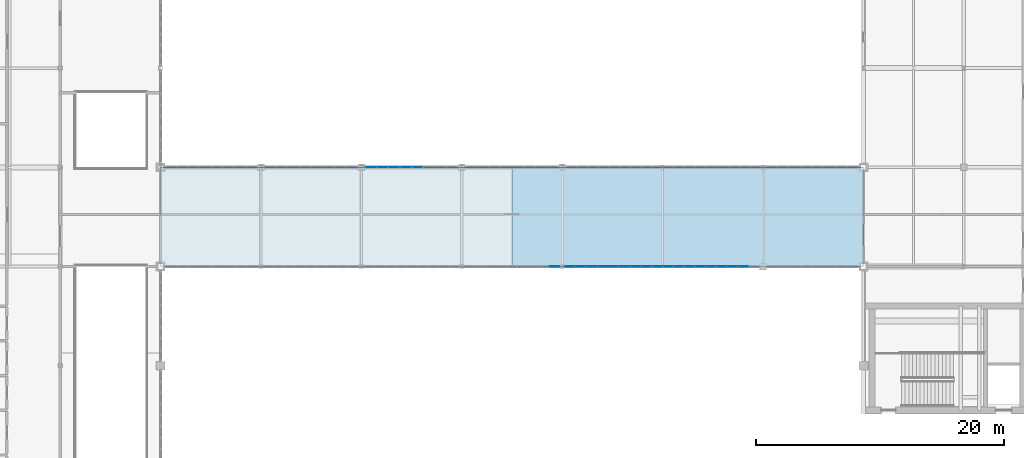
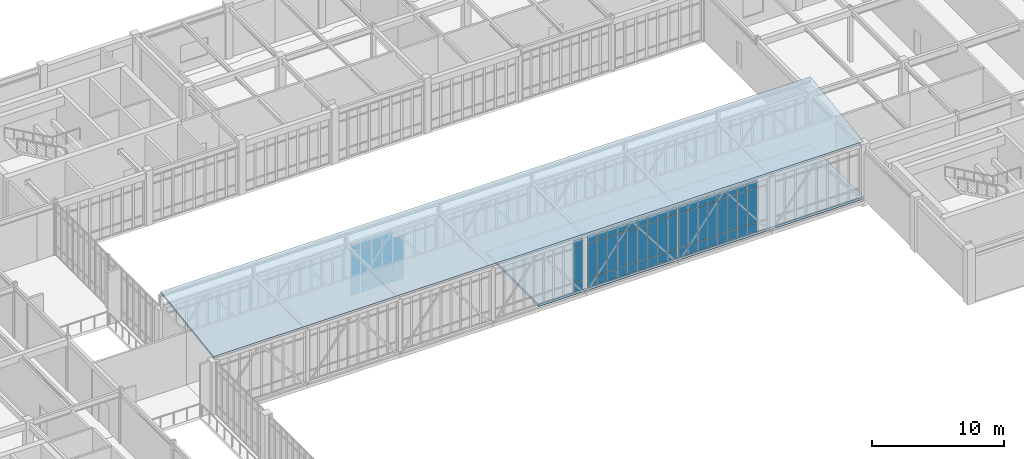
# One storey, part 76 of 107: 68 plates, 2 slabs, 4 elements without a shape of their own.
"""IFC4 building model written with IfcOpenShell, lengths in metres."""

from ifc_helpers import new_model, si_unit, direction, frame, origin, origin_2d, place, context, subcontext, project, spatial, polyline, rectangle, outline, extrude, material, layer, layer_set, type_object, element, aggregate, save


model = new_model("IFC4")

# Units and contexts
model_context = context("Model", 3, precision=1e-05, world=origin(), true_north=direction((0.0, 1.0)))
body_context = subcontext(model_context, "Body", "Model", "MODEL_VIEW")
ifc_project = project(units=[si_unit("LENGTHUNIT", "METRE"), si_unit("AREAUNIT", "SQUARE_METRE"), si_unit("VOLUMEUNIT", "CUBIC_METRE"), si_unit("PLANEANGLEUNIT", "RADIAN"), si_unit("MASSUNIT", "GRAM", prefix="KILO")], contexts=[model_context])

# Site, building, storey
site_placement = place(None, origin())
site = spatial("IfcSite", under=ifc_project, at=site_placement, CompositionType="ELEMENT")
building_placement = place(site_placement, origin())
building = spatial("IfcBuilding", under=site, at=building_placement, Name="Tarnveldt Square Police Headquarters", CompositionType="ELEMENT")
storey_placement = place(building_placement, frame((0.0, 0.0, 14.699951171875)))
storey = spatial("IfcBuildingStorey", under=building, at=storey_placement, Name="L03", CompositionType="ELEMENT", Elevation=14.699951171875)

# Curtain wall, plates
ifc_material_1 = material(Name="Triple-glazed low-e laminated vision glass", Category="glass")
curtain_wall_type_1 = type_object("IfcCurtainWallType", Name="CW-SB-776x484", PredefinedType="USERDEFINED", material=ifc_material_1)
curtain_wall_1_placement = place(storey_placement, origin())
curtain_wall_1 = element("IfcCurtainWall", 1, at=curtain_wall_1_placement, inside=storey, type_object=curtain_wall_type_1, Name="L03 Curtain Wall CW-L03-155", ObjectType="GLAZED CURTAIN WALL", PredefinedType="USERDEFINED")
ifc_layer_1 = layer(ifc_material_1, 0.028076171875)
ifc_layer_set_1 = layer_set([ifc_layer_1], Name="Triple-glazed low-e laminated vision glass")
plate_type = type_object("IfcPlateType", Name="CWP-VIS-28", PredefinedType="CURTAIN_PANEL", material=ifc_layer_set_1)
plate_1_placement = place(storey_placement, frame((80.383544921875, 72.0, 0.06494140625), z_axis=(0.0, 0.0, 1.0), x_axis=(1.0, 0.0, 0.0)))
plate_1 = element("IfcPlate", 2, at=plate_1_placement, type_object=plate_type, Name="CW-SB90 panel 9.1", PredefinedType="CURTAIN_PANEL", context=body_context, shape_type="SweptSolid", body=[
    extrude(rectangle(XDim=0.764892578125, YDim=0.028076171875, at=origin_2d()), origin(), (0.0, 0.0, 1.0), 0.802490234375),
])
plate_2_placement = place(storey_placement, frame((80.383544921875, 72.0, 0.9326171875), z_axis=(0.0, 0.0, 1.0), x_axis=(1.0, 0.0, 0.0)))
plate_2 = element("IfcPlate", 3, at=plate_2_placement, type_object=plate_type, Name="CW-SB90 panel 9.2", PredefinedType="CURTAIN_PANEL", context=body_context, shape_type="SweptSolid", body=[
    extrude(rectangle(XDim=0.764892578125, YDim=0.028076171875, at=origin_2d()), origin(), (0.0, 0.0, 1.0), 3.125),
])
plate_3_placement = place(storey_placement, frame((80.383544921875, 72.0, 4.12255859375), z_axis=(0.0, 0.0, 1.0), x_axis=(1.0, 0.0, 0.0)))
plate_3 = element("IfcPlate", 4, at=plate_3_placement, type_object=plate_type, Name="CW-SB90 panel 9.3", PredefinedType="CURTAIN_PANEL", context=body_context, shape_type="SweptSolid", body=[
    extrude(rectangle(XDim=0.764892578125, YDim=0.028076171875, at=origin_2d()), origin(), (0.0, 0.0, 1.0), 0.652587890625),
])
aggregate(curtain_wall_1, [plate_1, plate_2, plate_3])

curtain_wall_type_2 = type_object("IfcCurtainWallType", Name="CW-SB-793x484", PredefinedType="USERDEFINED", material=ifc_material_1)
curtain_wall_2_placement = place(storey_placement, origin())
curtain_wall_2 = element("IfcCurtainWall", 5, at=curtain_wall_2_placement, inside=storey, type_object=curtain_wall_type_2, Name="L03 Curtain Wall CW-L03-156", ObjectType="GLAZED CURTAIN WALL", PredefinedType="USERDEFINED")
plate_4_placement = place(storey_placement, frame((81.6259765625, 72.0, 0.06494140625), z_axis=(0.0, 0.0, 1.0), x_axis=(1.0, 0.0, 0.0)))
plate_4 = element("IfcPlate", 6, at=plate_4_placement, type_object=plate_type, Name="CW-SB91 panel 1.1", PredefinedType="CURTAIN_PANEL", context=body_context, shape_type="SweptSolid", body=[
    extrude(rectangle(XDim=0.78369140625, YDim=0.028076171875, at=origin_2d()), origin(), (0.0, 0.0, 1.0), 0.802490234375),
])
plate_5_placement = place(storey_placement, frame((81.6259765625, 72.0, 0.9326171875), z_axis=(0.0, 0.0, 1.0), x_axis=(1.0, 0.0, 0.0)))
plate_5 = element("IfcPlate", 7, at=plate_5_placement, type_object=plate_type, Name="CW-SB91 panel 1.2", PredefinedType="CURTAIN_PANEL", context=body_context, shape_type="SweptSolid", body=[
    extrude(rectangle(XDim=0.78369140625, YDim=0.028076171875, at=origin_2d()), origin(), (0.0, 0.0, 1.0), 3.125),
])
plate_6_placement = place(storey_placement, frame((81.6259765625, 72.0, 4.12255859375), z_axis=(0.0, 0.0, 1.0), x_axis=(1.0, 0.0, 0.0)))
plate_6 = element("IfcPlate", 8, at=plate_6_placement, type_object=plate_type, Name="CW-SB91 panel 1.3", PredefinedType="CURTAIN_PANEL", context=body_context, shape_type="SweptSolid", body=[
    extrude(rectangle(XDim=0.78369140625, YDim=0.028076171875, at=origin_2d()), origin(), (0.0, 0.0, 1.0), 0.652587890625),
])
plate_7_placement = place(storey_placement, frame((82.49072265625, 72.0, 0.06494140625), z_axis=(0.0, 0.0, 1.0), x_axis=(1.0, 0.0, 0.0)))
plate_7 = element("IfcPlate", 9, at=plate_7_placement, type_object=plate_type, Name="CW-SB91 panel 2.1", PredefinedType="CURTAIN_PANEL", context=body_context, shape_type="SweptSolid", body=[
    extrude(rectangle(XDim=0.816162109375, YDim=0.028076171875, at=origin_2d()), origin(), (0.0, 0.0, 1.0), 0.802490234375),
])
plate_8_placement = place(storey_placement, frame((82.49072265625, 72.0, 0.9326171875), z_axis=(0.0, 0.0, 1.0), x_axis=(1.0, 0.0, 0.0)))
plate_8 = element("IfcPlate", 10, at=plate_8_placement, type_object=plate_type, Name="CW-SB91 panel 2.2", PredefinedType="CURTAIN_PANEL", context=body_context, shape_type="SweptSolid", body=[
    extrude(rectangle(XDim=0.816162109375, YDim=0.028076171875, at=origin_2d()), origin(), (0.0, 0.0, 1.0), 3.125),
])
plate_9_placement = place(storey_placement, frame((82.49072265625, 72.0, 4.12255859375), z_axis=(0.0, 0.0, 1.0), x_axis=(1.0, 0.0, 0.0)))
plate_9 = element("IfcPlate", 11, at=plate_9_placement, type_object=plate_type, Name="CW-SB91 panel 2.3", PredefinedType="CURTAIN_PANEL", context=body_context, shape_type="SweptSolid", body=[
    extrude(rectangle(XDim=0.816162109375, YDim=0.028076171875, at=origin_2d()), origin(), (0.0, 0.0, 1.0), 0.652587890625),
])
plate_10_placement = place(storey_placement, frame((83.3720703125, 72.0, 0.06494140625), z_axis=(0.0, 0.0, 1.0), x_axis=(1.0, 0.0, 0.0)))
plate_10 = element("IfcPlate", 12, at=plate_10_placement, type_object=plate_type, Name="CW-SB91 panel 3.1", PredefinedType="CURTAIN_PANEL", context=body_context, shape_type="SweptSolid", body=[
    extrude(rectangle(XDim=0.816162109375, YDim=0.028076171875, at=origin_2d()), origin(), (0.0, 0.0, 1.0), 0.802490234375),
])
plate_11_placement = place(storey_placement, frame((83.3720703125, 72.0, 0.9326171875), z_axis=(0.0, 0.0, 1.0), x_axis=(1.0, 0.0, 0.0)))
plate_11 = element("IfcPlate", 13, at=plate_11_placement, type_object=plate_type, Name="CW-SB91 panel 3.2", PredefinedType="CURTAIN_PANEL", context=body_context, shape_type="SweptSolid", body=[
    extrude(rectangle(XDim=0.816162109375, YDim=0.028076171875, at=origin_2d()), origin(), (0.0, 0.0, 1.0), 3.125),
])
plate_12_placement = place(storey_placement, frame((83.3720703125, 72.0, 4.12255859375), z_axis=(0.0, 0.0, 1.0), x_axis=(1.0, 0.0, 0.0)))
plate_12 = element("IfcPlate", 14, at=plate_12_placement, type_object=plate_type, Name="CW-SB91 panel 3.3", PredefinedType="CURTAIN_PANEL", context=body_context, shape_type="SweptSolid", body=[
    extrude(rectangle(XDim=0.816162109375, YDim=0.028076171875, at=origin_2d()), origin(), (0.0, 0.0, 1.0), 0.652587890625),
])
plate_13_placement = place(storey_placement, frame((84.253173828125, 72.0, 0.06494140625), z_axis=(0.0, 0.0, 1.0), x_axis=(1.0, 0.0, 0.0)))
plate_13 = element("IfcPlate", 15, at=plate_13_placement, type_object=plate_type, Name="CW-SB91 panel 4.1", PredefinedType="CURTAIN_PANEL", context=body_context, shape_type="SweptSolid", body=[
    extrude(rectangle(XDim=0.816162109375, YDim=0.028076171875, at=origin_2d()), origin(), (0.0, 0.0, 1.0), 0.802490234375),
])
plate_14_placement = place(storey_placement, frame((84.253173828125, 72.0, 0.9326171875), z_axis=(0.0, 0.0, 1.0), x_axis=(1.0, 0.0, 0.0)))
plate_14 = element("IfcPlate", 16, at=plate_14_placement, type_object=plate_type, Name="CW-SB91 panel 4.2", PredefinedType="CURTAIN_PANEL", context=body_context, shape_type="SweptSolid", body=[
    extrude(rectangle(XDim=0.816162109375, YDim=0.028076171875, at=origin_2d()), origin(), (0.0, 0.0, 1.0), 3.125),
])
plate_15_placement = place(storey_placement, frame((84.253173828125, 72.0, 4.12255859375), z_axis=(0.0, 0.0, 1.0), x_axis=(1.0, 0.0, 0.0)))
plate_15 = element("IfcPlate", 17, at=plate_15_placement, type_object=plate_type, Name="CW-SB91 panel 4.3", PredefinedType="CURTAIN_PANEL", context=body_context, shape_type="SweptSolid", body=[
    extrude(rectangle(XDim=0.816162109375, YDim=0.028076171875, at=origin_2d()), origin(), (0.0, 0.0, 1.0), 0.652587890625),
])
plate_16_placement = place(storey_placement, frame((85.134521484375, 72.0, 0.06494140625), z_axis=(0.0, 0.0, 1.0), x_axis=(1.0, 0.0, 0.0)))
plate_16 = element("IfcPlate", 18, at=plate_16_placement, type_object=plate_type, Name="CW-SB91 panel 5.1", PredefinedType="CURTAIN_PANEL", context=body_context, shape_type="SweptSolid", body=[
    extrude(rectangle(XDim=0.816162109375, YDim=0.028076171875, at=origin_2d()), origin(), (0.0, 0.0, 1.0), 0.802490234375),
])
plate_17_placement = place(storey_placement, frame((85.134521484375, 72.0, 0.9326171875), z_axis=(0.0, 0.0, 1.0), x_axis=(1.0, 0.0, 0.0)))
plate_17 = element("IfcPlate", 19, at=plate_17_placement, type_object=plate_type, Name="CW-SB91 panel 5.2", PredefinedType="CURTAIN_PANEL", context=body_context, shape_type="SweptSolid", body=[
    extrude(rectangle(XDim=0.816162109375, YDim=0.028076171875, at=origin_2d()), origin(), (0.0, 0.0, 1.0), 3.125),
])
plate_18_placement = place(storey_placement, frame((85.134521484375, 72.0, 4.12255859375), z_axis=(0.0, 0.0, 1.0), x_axis=(1.0, 0.0, 0.0)))
plate_18 = element("IfcPlate", 20, at=plate_18_placement, type_object=plate_type, Name="CW-SB91 panel 5.3", PredefinedType="CURTAIN_PANEL", context=body_context, shape_type="SweptSolid", body=[
    extrude(rectangle(XDim=0.816162109375, YDim=0.028076171875, at=origin_2d()), origin(), (0.0, 0.0, 1.0), 0.652587890625),
])
plate_19_placement = place(storey_placement, frame((86.015625, 72.0, 0.06494140625), z_axis=(0.0, 0.0, 1.0), x_axis=(1.0, 0.0, 0.0)))
plate_19 = element("IfcPlate", 21, at=plate_19_placement, type_object=plate_type, Name="CW-SB91 panel 6.1", PredefinedType="CURTAIN_PANEL", context=body_context, shape_type="SweptSolid", body=[
    extrude(rectangle(XDim=0.816162109375, YDim=0.028076171875, at=origin_2d()), origin(), (0.0, 0.0, 1.0), 0.802490234375),
])
plate_20_placement = place(storey_placement, frame((86.015625, 72.0, 0.9326171875), z_axis=(0.0, 0.0, 1.0), x_axis=(1.0, 0.0, 0.0)))
plate_20 = element("IfcPlate", 22, at=plate_20_placement, type_object=plate_type, Name="CW-SB91 panel 6.2", PredefinedType="CURTAIN_PANEL", context=body_context, shape_type="SweptSolid", body=[
    extrude(rectangle(XDim=0.816162109375, YDim=0.028076171875, at=origin_2d()), origin(), (0.0, 0.0, 1.0), 3.125),
])
plate_21_placement = place(storey_placement, frame((86.015625, 72.0, 4.12255859375), z_axis=(0.0, 0.0, 1.0), x_axis=(1.0, 0.0, 0.0)))
plate_21 = element("IfcPlate", 23, at=plate_21_placement, type_object=plate_type, Name="CW-SB91 panel 6.3", PredefinedType="CURTAIN_PANEL", context=body_context, shape_type="SweptSolid", body=[
    extrude(rectangle(XDim=0.816162109375, YDim=0.028076171875, at=origin_2d()), origin(), (0.0, 0.0, 1.0), 0.652587890625),
])
plate_22_placement = place(storey_placement, frame((86.89697265625, 72.0, 0.06494140625), z_axis=(0.0, 0.0, 1.0), x_axis=(1.0, 0.0, 0.0)))
plate_22 = element("IfcPlate", 24, at=plate_22_placement, type_object=plate_type, Name="CW-SB91 panel 7.1", PredefinedType="CURTAIN_PANEL", context=body_context, shape_type="SweptSolid", body=[
    extrude(rectangle(XDim=0.816162109375, YDim=0.028076171875, at=origin_2d()), origin(), (0.0, 0.0, 1.0), 0.802490234375),
])
plate_23_placement = place(storey_placement, frame((86.89697265625, 72.0, 0.9326171875), z_axis=(0.0, 0.0, 1.0), x_axis=(1.0, 0.0, 0.0)))
plate_23 = element("IfcPlate", 25, at=plate_23_placement, type_object=plate_type, Name="CW-SB91 panel 7.2", PredefinedType="CURTAIN_PANEL", context=body_context, shape_type="SweptSolid", body=[
    extrude(rectangle(XDim=0.816162109375, YDim=0.028076171875, at=origin_2d()), origin(), (0.0, 0.0, 1.0), 3.125),
])
plate_24_placement = place(storey_placement, frame((86.89697265625, 72.0, 4.12255859375), z_axis=(0.0, 0.0, 1.0), x_axis=(1.0, 0.0, 0.0)))
plate_24 = element("IfcPlate", 26, at=plate_24_placement, type_object=plate_type, Name="CW-SB91 panel 7.3", PredefinedType="CURTAIN_PANEL", context=body_context, shape_type="SweptSolid", body=[
    extrude(rectangle(XDim=0.816162109375, YDim=0.028076171875, at=origin_2d()), origin(), (0.0, 0.0, 1.0), 0.652587890625),
])
plate_25_placement = place(storey_placement, frame((87.778076171875, 72.0, 0.06494140625), z_axis=(0.0, 0.0, 1.0), x_axis=(1.0, 0.0, 0.0)))
plate_25 = element("IfcPlate", 27, at=plate_25_placement, type_object=plate_type, Name="CW-SB91 panel 8.1", PredefinedType="CURTAIN_PANEL", context=body_context, shape_type="SweptSolid", body=[
    extrude(rectangle(XDim=0.816162109375, YDim=0.028076171875, at=origin_2d()), origin(), (0.0, 0.0, 1.0), 0.802490234375),
])
plate_26_placement = place(storey_placement, frame((87.778076171875, 72.0, 0.9326171875), z_axis=(0.0, 0.0, 1.0), x_axis=(1.0, 0.0, 0.0)))
plate_26 = element("IfcPlate", 28, at=plate_26_placement, type_object=plate_type, Name="CW-SB91 panel 8.2", PredefinedType="CURTAIN_PANEL", context=body_context, shape_type="SweptSolid", body=[
    extrude(rectangle(XDim=0.816162109375, YDim=0.028076171875, at=origin_2d()), origin(), (0.0, 0.0, 1.0), 3.125),
])
plate_27_placement = place(storey_placement, frame((87.778076171875, 72.0, 4.12255859375), z_axis=(0.0, 0.0, 1.0), x_axis=(1.0, 0.0, 0.0)))
plate_27 = element("IfcPlate", 29, at=plate_27_placement, type_object=plate_type, Name="CW-SB91 panel 8.3", PredefinedType="CURTAIN_PANEL", context=body_context, shape_type="SweptSolid", body=[
    extrude(rectangle(XDim=0.816162109375, YDim=0.028076171875, at=origin_2d()), origin(), (0.0, 0.0, 1.0), 0.652587890625),
])
plate_28_placement = place(storey_placement, frame((88.64306640625, 72.0, 0.06494140625), z_axis=(0.0, 0.0, 1.0), x_axis=(1.0, 0.0, 0.0)))
plate_28 = element("IfcPlate", 30, at=plate_28_placement, type_object=plate_type, Name="CW-SB91 panel 9.1", PredefinedType="CURTAIN_PANEL", context=body_context, shape_type="SweptSolid", body=[
    extrude(rectangle(XDim=0.78369140625, YDim=0.028076171875, at=origin_2d()), origin(), (0.0, 0.0, 1.0), 0.802490234375),
])
plate_29_placement = place(storey_placement, frame((88.64306640625, 72.0, 0.9326171875), z_axis=(0.0, 0.0, 1.0), x_axis=(1.0, 0.0, 0.0)))
plate_29 = element("IfcPlate", 31, at=plate_29_placement, type_object=plate_type, Name="CW-SB91 panel 9.2", PredefinedType="CURTAIN_PANEL", context=body_context, shape_type="SweptSolid", body=[
    extrude(rectangle(XDim=0.78369140625, YDim=0.028076171875, at=origin_2d()), origin(), (0.0, 0.0, 1.0), 3.125),
])
plate_30_placement = place(storey_placement, frame((88.64306640625, 72.0, 4.12255859375), z_axis=(0.0, 0.0, 1.0), x_axis=(1.0, 0.0, 0.0)))
plate_30 = element("IfcPlate", 32, at=plate_30_placement, type_object=plate_type, Name="CW-SB91 panel 9.3", PredefinedType="CURTAIN_PANEL", context=body_context, shape_type="SweptSolid", body=[
    extrude(rectangle(XDim=0.78369140625, YDim=0.028076171875, at=origin_2d()), origin(), (0.0, 0.0, 1.0), 0.652587890625),
])
aggregate(curtain_wall_2, [plate_4, plate_5, plate_6, plate_7, plate_8, plate_9, plate_10, plate_11, plate_12, plate_13, plate_14, plate_15, plate_16, plate_17, plate_18, plate_19, plate_20, plate_21, plate_22, plate_23, plate_24, plate_25, plate_26, plate_27, plate_28, plate_29, plate_30])

curtain_wall_type_3 = type_object("IfcCurtainWallType", Name="CW-SB-781x484", PredefinedType="USERDEFINED", material=ifc_material_1)
curtain_wall_3_placement = place(storey_placement, origin())
curtain_wall_3 = element("IfcCurtainWall", 33, at=curtain_wall_3_placement, inside=storey, type_object=curtain_wall_type_3, Name="L03 Curtain Wall CW-L03-157", ObjectType="GLAZED CURTAIN WALL", PredefinedType="USERDEFINED")
plate_31_placement = place(storey_placement, frame((89.550048828125, 72.0, 0.06494140625), z_axis=(0.0, 0.0, 1.0), x_axis=(1.0, 0.0, 0.0)))
plate_31 = element("IfcPlate", 34, at=plate_31_placement, type_object=plate_type, Name="CW-SB92 panel 1.1", PredefinedType="CURTAIN_PANEL", context=body_context, shape_type="SweptSolid", body=[
    extrude(rectangle(XDim=0.770263671875, YDim=0.028076171875, at=origin_2d()), origin(), (0.0, 0.0, 1.0), 0.802490234375),
])
plate_32_placement = place(storey_placement, frame((89.550048828125, 72.0, 0.9326171875), z_axis=(0.0, 0.0, 1.0), x_axis=(1.0, 0.0, 0.0)))
plate_32 = element("IfcPlate", 35, at=plate_32_placement, type_object=plate_type, Name="CW-SB92 panel 1.2", PredefinedType="CURTAIN_PANEL", context=body_context, shape_type="SweptSolid", body=[
    extrude(rectangle(XDim=0.770263671875, YDim=0.028076171875, at=origin_2d()), origin(), (0.0, 0.0, 1.0), 3.125),
])
plate_33_placement = place(storey_placement, frame((89.550048828125, 72.0, 4.12255859375), z_axis=(0.0, 0.0, 1.0), x_axis=(1.0, 0.0, 0.0)))
plate_33 = element("IfcPlate", 36, at=plate_33_placement, type_object=plate_type, Name="CW-SB92 panel 1.3", PredefinedType="CURTAIN_PANEL", context=body_context, shape_type="SweptSolid", body=[
    extrude(rectangle(XDim=0.770263671875, YDim=0.028076171875, at=origin_2d()), origin(), (0.0, 0.0, 1.0), 0.652587890625),
])
plate_34_placement = place(storey_placement, frame((90.401611328125, 72.0, 0.06494140625), z_axis=(0.0, 0.0, 1.0), x_axis=(1.0, 0.0, 0.0)))
plate_34 = element("IfcPlate", 37, at=plate_34_placement, type_object=plate_type, Name="CW-SB92 panel 2.1", PredefinedType="CURTAIN_PANEL", context=body_context, shape_type="SweptSolid", body=[
    extrude(rectangle(XDim=0.802734375, YDim=0.028076171875, at=origin_2d()), origin(), (0.0, 0.0, 1.0), 0.802490234375),
])
plate_35_placement = place(storey_placement, frame((90.401611328125, 72.0, 0.9326171875), z_axis=(0.0, 0.0, 1.0), x_axis=(1.0, 0.0, 0.0)))
plate_35 = element("IfcPlate", 38, at=plate_35_placement, type_object=plate_type, Name="CW-SB92 panel 2.2", PredefinedType="CURTAIN_PANEL", context=body_context, shape_type="SweptSolid", body=[
    extrude(rectangle(XDim=0.802734375, YDim=0.028076171875, at=origin_2d()), origin(), (0.0, 0.0, 1.0), 3.125),
])
plate_36_placement = place(storey_placement, frame((90.401611328125, 72.0, 4.12255859375), z_axis=(0.0, 0.0, 1.0), x_axis=(1.0, 0.0, 0.0)))
plate_36 = element("IfcPlate", 39, at=plate_36_placement, type_object=plate_type, Name="CW-SB92 panel 2.3", PredefinedType="CURTAIN_PANEL", context=body_context, shape_type="SweptSolid", body=[
    extrude(rectangle(XDim=0.802734375, YDim=0.028076171875, at=origin_2d()), origin(), (0.0, 0.0, 1.0), 0.652587890625),
])
plate_37_placement = place(storey_placement, frame((91.26953125, 72.0, 0.06494140625), z_axis=(0.0, 0.0, 1.0), x_axis=(1.0, 0.0, 0.0)))
plate_37 = element("IfcPlate", 40, at=plate_37_placement, type_object=plate_type, Name="CW-SB92 panel 3.1", PredefinedType="CURTAIN_PANEL", context=body_context, shape_type="SweptSolid", body=[
    extrude(rectangle(XDim=0.802734375, YDim=0.028076171875, at=origin_2d()), origin(), (0.0, 0.0, 1.0), 0.802490234375),
])
plate_38_placement = place(storey_placement, frame((91.26953125, 72.0, 0.9326171875), z_axis=(0.0, 0.0, 1.0), x_axis=(1.0, 0.0, 0.0)))
plate_38 = element("IfcPlate", 41, at=plate_38_placement, type_object=plate_type, Name="CW-SB92 panel 3.2", PredefinedType="CURTAIN_PANEL", context=body_context, shape_type="SweptSolid", body=[
    extrude(rectangle(XDim=0.802734375, YDim=0.028076171875, at=origin_2d()), origin(), (0.0, 0.0, 1.0), 3.125),
])
plate_39_placement = place(storey_placement, frame((91.26953125, 72.0, 4.12255859375), z_axis=(0.0, 0.0, 1.0), x_axis=(1.0, 0.0, 0.0)))
plate_39 = element("IfcPlate", 42, at=plate_39_placement, type_object=plate_type, Name="CW-SB92 panel 3.3", PredefinedType="CURTAIN_PANEL", context=body_context, shape_type="SweptSolid", body=[
    extrude(rectangle(XDim=0.802734375, YDim=0.028076171875, at=origin_2d()), origin(), (0.0, 0.0, 1.0), 0.652587890625),
])
plate_40_placement = place(storey_placement, frame((92.13720703125, 72.0, 0.06494140625), z_axis=(0.0, 0.0, 1.0), x_axis=(1.0, 0.0, 0.0)))
plate_40 = element("IfcPlate", 43, at=plate_40_placement, type_object=plate_type, Name="CW-SB92 panel 4.1", PredefinedType="CURTAIN_PANEL", context=body_context, shape_type="SweptSolid", body=[
    extrude(rectangle(XDim=0.802734375, YDim=0.028076171875, at=origin_2d()), origin(), (0.0, 0.0, 1.0), 0.802490234375),
])
plate_41_placement = place(storey_placement, frame((92.13720703125, 72.0, 0.9326171875), z_axis=(0.0, 0.0, 1.0), x_axis=(1.0, 0.0, 0.0)))
plate_41 = element("IfcPlate", 44, at=plate_41_placement, type_object=plate_type, Name="CW-SB92 panel 4.2", PredefinedType="CURTAIN_PANEL", context=body_context, shape_type="SweptSolid", body=[
    extrude(rectangle(XDim=0.802734375, YDim=0.028076171875, at=origin_2d()), origin(), (0.0, 0.0, 1.0), 3.125),
])
plate_42_placement = place(storey_placement, frame((92.13720703125, 72.0, 4.12255859375), z_axis=(0.0, 0.0, 1.0), x_axis=(1.0, 0.0, 0.0)))
plate_42 = element("IfcPlate", 45, at=plate_42_placement, type_object=plate_type, Name="CW-SB92 panel 4.3", PredefinedType="CURTAIN_PANEL", context=body_context, shape_type="SweptSolid", body=[
    extrude(rectangle(XDim=0.802734375, YDim=0.028076171875, at=origin_2d()), origin(), (0.0, 0.0, 1.0), 0.652587890625),
])
plate_43_placement = place(storey_placement, frame((93.0048828125, 72.0, 0.06494140625), z_axis=(0.0, 0.0, 1.0), x_axis=(1.0, 0.0, 0.0)))
plate_43 = element("IfcPlate", 46, at=plate_43_placement, type_object=plate_type, Name="CW-SB92 panel 5.1", PredefinedType="CURTAIN_PANEL", context=body_context, shape_type="SweptSolid", body=[
    extrude(rectangle(XDim=0.802734375, YDim=0.028076171875, at=origin_2d()), origin(), (0.0, 0.0, 1.0), 0.802490234375),
])
plate_44_placement = place(storey_placement, frame((93.0048828125, 72.0, 0.9326171875), z_axis=(0.0, 0.0, 1.0), x_axis=(1.0, 0.0, 0.0)))
plate_44 = element("IfcPlate", 47, at=plate_44_placement, type_object=plate_type, Name="CW-SB92 panel 5.2", PredefinedType="CURTAIN_PANEL", context=body_context, shape_type="SweptSolid", body=[
    extrude(rectangle(XDim=0.802734375, YDim=0.028076171875, at=origin_2d()), origin(), (0.0, 0.0, 1.0), 3.125),
])
plate_45_placement = place(storey_placement, frame((93.0048828125, 72.0, 4.12255859375), z_axis=(0.0, 0.0, 1.0), x_axis=(1.0, 0.0, 0.0)))
plate_45 = element("IfcPlate", 48, at=plate_45_placement, type_object=plate_type, Name="CW-SB92 panel 5.3", PredefinedType="CURTAIN_PANEL", context=body_context, shape_type="SweptSolid", body=[
    extrude(rectangle(XDim=0.802734375, YDim=0.028076171875, at=origin_2d()), origin(), (0.0, 0.0, 1.0), 0.652587890625),
])
plate_46_placement = place(storey_placement, frame((93.872802734375, 72.0, 0.06494140625), z_axis=(0.0, 0.0, 1.0), x_axis=(1.0, 0.0, 0.0)))
plate_46 = element("IfcPlate", 49, at=plate_46_placement, type_object=plate_type, Name="CW-SB92 panel 6.1", PredefinedType="CURTAIN_PANEL", context=body_context, shape_type="SweptSolid", body=[
    extrude(rectangle(XDim=0.802734375, YDim=0.028076171875, at=origin_2d()), origin(), (0.0, 0.0, 1.0), 0.802490234375),
])
plate_47_placement = place(storey_placement, frame((93.872802734375, 72.0, 0.9326171875), z_axis=(0.0, 0.0, 1.0), x_axis=(1.0, 0.0, 0.0)))
plate_47 = element("IfcPlate", 50, at=plate_47_placement, type_object=plate_type, Name="CW-SB92 panel 6.2", PredefinedType="CURTAIN_PANEL", context=body_context, shape_type="SweptSolid", body=[
    extrude(rectangle(XDim=0.802734375, YDim=0.028076171875, at=origin_2d()), origin(), (0.0, 0.0, 1.0), 3.125),
])
plate_48_placement = place(storey_placement, frame((93.872802734375, 72.0, 4.12255859375), z_axis=(0.0, 0.0, 1.0), x_axis=(1.0, 0.0, 0.0)))
plate_48 = element("IfcPlate", 51, at=plate_48_placement, type_object=plate_type, Name="CW-SB92 panel 6.3", PredefinedType="CURTAIN_PANEL", context=body_context, shape_type="SweptSolid", body=[
    extrude(rectangle(XDim=0.802734375, YDim=0.028076171875, at=origin_2d()), origin(), (0.0, 0.0, 1.0), 0.652587890625),
])
plate_49_placement = place(storey_placement, frame((94.740478515625, 72.0, 0.06494140625), z_axis=(0.0, 0.0, 1.0), x_axis=(1.0, 0.0, 0.0)))
plate_49 = element("IfcPlate", 52, at=plate_49_placement, type_object=plate_type, Name="CW-SB92 panel 7.1", PredefinedType="CURTAIN_PANEL", context=body_context, shape_type="SweptSolid", body=[
    extrude(rectangle(XDim=0.802734375, YDim=0.028076171875, at=origin_2d()), origin(), (0.0, 0.0, 1.0), 0.802490234375),
])
plate_50_placement = place(storey_placement, frame((94.740478515625, 72.0, 0.9326171875), z_axis=(0.0, 0.0, 1.0), x_axis=(1.0, 0.0, 0.0)))
plate_50 = element("IfcPlate", 53, at=plate_50_placement, type_object=plate_type, Name="CW-SB92 panel 7.2", PredefinedType="CURTAIN_PANEL", context=body_context, shape_type="SweptSolid", body=[
    extrude(rectangle(XDim=0.802734375, YDim=0.028076171875, at=origin_2d()), origin(), (0.0, 0.0, 1.0), 3.125),
])
plate_51_placement = place(storey_placement, frame((94.740478515625, 72.0, 4.12255859375), z_axis=(0.0, 0.0, 1.0), x_axis=(1.0, 0.0, 0.0)))
plate_51 = element("IfcPlate", 54, at=plate_51_placement, type_object=plate_type, Name="CW-SB92 panel 7.3", PredefinedType="CURTAIN_PANEL", context=body_context, shape_type="SweptSolid", body=[
    extrude(rectangle(XDim=0.802734375, YDim=0.028076171875, at=origin_2d()), origin(), (0.0, 0.0, 1.0), 0.652587890625),
])
plate_52_placement = place(storey_placement, frame((95.6083984375, 72.0, 0.06494140625), z_axis=(0.0, 0.0, 1.0), x_axis=(1.0, 0.0, 0.0)))
plate_52 = element("IfcPlate", 55, at=plate_52_placement, type_object=plate_type, Name="CW-SB92 panel 8.1", PredefinedType="CURTAIN_PANEL", context=body_context, shape_type="SweptSolid", body=[
    extrude(rectangle(XDim=0.802734375, YDim=0.028076171875, at=origin_2d()), origin(), (0.0, 0.0, 1.0), 0.802490234375),
])
plate_53_placement = place(storey_placement, frame((95.6083984375, 72.0, 0.9326171875), z_axis=(0.0, 0.0, 1.0), x_axis=(1.0, 0.0, 0.0)))
plate_53 = element("IfcPlate", 56, at=plate_53_placement, type_object=plate_type, Name="CW-SB92 panel 8.2", PredefinedType="CURTAIN_PANEL", context=body_context, shape_type="SweptSolid", body=[
    extrude(rectangle(XDim=0.802734375, YDim=0.028076171875, at=origin_2d()), origin(), (0.0, 0.0, 1.0), 3.125),
])
plate_54_placement = place(storey_placement, frame((95.6083984375, 72.0, 4.12255859375), z_axis=(0.0, 0.0, 1.0), x_axis=(1.0, 0.0, 0.0)))
plate_54 = element("IfcPlate", 57, at=plate_54_placement, type_object=plate_type, Name="CW-SB92 panel 8.3", PredefinedType="CURTAIN_PANEL", context=body_context, shape_type="SweptSolid", body=[
    extrude(rectangle(XDim=0.802734375, YDim=0.028076171875, at=origin_2d()), origin(), (0.0, 0.0, 1.0), 0.652587890625),
])
aggregate(curtain_wall_3, [plate_31, plate_32, plate_33, plate_34, plate_35, plate_36, plate_37, plate_38, plate_39, plate_40, plate_41, plate_42, plate_43, plate_44, plate_45, plate_46, plate_47, plate_48, plate_49, plate_50, plate_51, plate_52, plate_53, plate_54])

curtain_wall_type_4 = type_object("IfcCurtainWallType", Name="CW-SB-752x484", PredefinedType="USERDEFINED", material=ifc_material_1)
curtain_wall_4_placement = place(storey_placement, origin())
curtain_wall_4 = element("IfcCurtainWall", 58, at=curtain_wall_4_placement, inside=storey, type_object=curtain_wall_type_4, Name="L03 Curtain Wall CW-L03-161", ObjectType="GLAZED CURTAIN WALL", PredefinedType="USERDEFINED")
plate_55_placement = place(storey_placement, frame((65.576171875, 80.0, 0.06494140625), z_axis=(0.0, 0.0, 1.0), x_axis=(1.0, 0.0, 0.0)))
plate_55 = element("IfcPlate", 59, at=plate_55_placement, type_object=plate_type, Name="CW-SB95 panel 1.1", PredefinedType="CURTAIN_PANEL", context=body_context, shape_type="SweptSolid", body=[
    extrude(rectangle(XDim=0.842529296875, YDim=0.028076171875, at=origin_2d()), origin(), (0.0, 0.0, 1.0), 0.802490234375),
])
plate_56_placement = place(storey_placement, frame((65.576171875, 80.0, 0.9326171875), z_axis=(0.0, 0.0, 1.0), x_axis=(1.0, 0.0, 0.0)))
plate_56 = element("IfcPlate", 60, at=plate_56_placement, type_object=plate_type, Name="CW-SB95 panel 1.2", PredefinedType="CURTAIN_PANEL", context=body_context, shape_type="SweptSolid", body=[
    extrude(rectangle(XDim=0.842529296875, YDim=0.028076171875, at=origin_2d()), origin(), (0.0, 0.0, 1.0), 3.125),
])
plate_57_placement = place(storey_placement, frame((65.576171875, 80.0, 4.12255859375), z_axis=(0.0, 0.0, 1.0), x_axis=(1.0, 0.0, 0.0)))
plate_57 = element("IfcPlate", 61, at=plate_57_placement, type_object=plate_type, Name="CW-SB95 panel 1.3", PredefinedType="CURTAIN_PANEL", context=body_context, shape_type="SweptSolid", body=[
    extrude(rectangle(XDim=0.842529296875, YDim=0.028076171875, at=origin_2d()), origin(), (0.0, 0.0, 1.0), 0.652587890625),
])
plate_58_placement = place(storey_placement, frame((66.5, 80.0, 0.06494140625), z_axis=(0.0, 0.0, 1.0), x_axis=(1.0, 0.0, 0.0)))
plate_58 = element("IfcPlate", 62, at=plate_58_placement, type_object=plate_type, Name="CW-SB95 panel 2.1", PredefinedType="CURTAIN_PANEL", context=body_context, shape_type="SweptSolid", body=[
    extrude(rectangle(XDim=0.875, YDim=0.028076171875, at=origin_2d()), origin(), (0.0, 0.0, 1.0), 0.802490234375),
])
plate_59_placement = place(storey_placement, frame((66.5, 80.0, 0.9326171875), z_axis=(0.0, 0.0, 1.0), x_axis=(1.0, 0.0, 0.0)))
plate_59 = element("IfcPlate", 63, at=plate_59_placement, type_object=plate_type, Name="CW-SB95 panel 2.2", PredefinedType="CURTAIN_PANEL", context=body_context, shape_type="SweptSolid", body=[
    extrude(rectangle(XDim=0.875, YDim=0.028076171875, at=origin_2d()), origin(), (0.0, 0.0, 1.0), 3.125),
])
plate_60_placement = place(storey_placement, frame((66.5, 80.0, 4.12255859375), z_axis=(0.0, 0.0, 1.0), x_axis=(1.0, 0.0, 0.0)))
plate_60 = element("IfcPlate", 64, at=plate_60_placement, type_object=plate_type, Name="CW-SB95 panel 2.3", PredefinedType="CURTAIN_PANEL", context=body_context, shape_type="SweptSolid", body=[
    extrude(rectangle(XDim=0.875, YDim=0.028076171875, at=origin_2d()), origin(), (0.0, 0.0, 1.0), 0.652587890625),
])
plate_61_placement = place(storey_placement, frame((67.43994140625, 80.0, 0.06494140625), z_axis=(0.0, 0.0, 1.0), x_axis=(1.0, 0.0, 0.0)))
plate_61 = element("IfcPlate", 65, at=plate_61_placement, type_object=plate_type, Name="CW-SB95 panel 3.1", PredefinedType="CURTAIN_PANEL", context=body_context, shape_type="SweptSolid", body=[
    extrude(rectangle(XDim=0.875, YDim=0.028076171875, at=origin_2d()), origin(), (0.0, 0.0, 1.0), 0.802490234375),
])
plate_62_placement = place(storey_placement, frame((67.43994140625, 80.0, 0.9326171875), z_axis=(0.0, 0.0, 1.0), x_axis=(1.0, 0.0, 0.0)))
plate_62 = element("IfcPlate", 66, at=plate_62_placement, type_object=plate_type, Name="CW-SB95 panel 3.2", PredefinedType="CURTAIN_PANEL", context=body_context, shape_type="SweptSolid", body=[
    extrude(rectangle(XDim=0.875, YDim=0.028076171875, at=origin_2d()), origin(), (0.0, 0.0, 1.0), 3.125),
])
plate_63_placement = place(storey_placement, frame((67.43994140625, 80.0, 4.12255859375), z_axis=(0.0, 0.0, 1.0), x_axis=(1.0, 0.0, 0.0)))
plate_63 = element("IfcPlate", 67, at=plate_63_placement, type_object=plate_type, Name="CW-SB95 panel 3.3", PredefinedType="CURTAIN_PANEL", context=body_context, shape_type="SweptSolid", body=[
    extrude(rectangle(XDim=0.875, YDim=0.028076171875, at=origin_2d()), origin(), (0.0, 0.0, 1.0), 0.652587890625),
])
plate_64_placement = place(storey_placement, frame((68.3798828125, 80.0, 0.06494140625), z_axis=(0.0, 0.0, 1.0), x_axis=(1.0, 0.0, 0.0)))
plate_64 = element("IfcPlate", 68, at=plate_64_placement, type_object=plate_type, Name="CW-SB95 panel 4.1", PredefinedType="CURTAIN_PANEL", context=body_context, shape_type="SweptSolid", body=[
    extrude(rectangle(XDim=0.875, YDim=0.028076171875, at=origin_2d()), origin(), (0.0, 0.0, 1.0), 0.802490234375),
])
plate_65_placement = place(storey_placement, frame((68.3798828125, 80.0, 0.9326171875), z_axis=(0.0, 0.0, 1.0), x_axis=(1.0, 0.0, 0.0)))
plate_65 = element("IfcPlate", 69, at=plate_65_placement, type_object=plate_type, Name="CW-SB95 panel 4.2", PredefinedType="CURTAIN_PANEL", context=body_context, shape_type="SweptSolid", body=[
    extrude(rectangle(XDim=0.875, YDim=0.028076171875, at=origin_2d()), origin(), (0.0, 0.0, 1.0), 3.125),
])
plate_66_placement = place(storey_placement, frame((68.3798828125, 80.0, 4.12255859375), z_axis=(0.0, 0.0, 1.0), x_axis=(1.0, 0.0, 0.0)))
plate_66 = element("IfcPlate", 70, at=plate_66_placement, type_object=plate_type, Name="CW-SB95 panel 4.3", PredefinedType="CURTAIN_PANEL", context=body_context, shape_type="SweptSolid", body=[
    extrude(rectangle(XDim=0.875, YDim=0.028076171875, at=origin_2d()), origin(), (0.0, 0.0, 1.0), 0.652587890625),
])
plate_67_placement = place(storey_placement, frame((69.320068359375, 80.0, 0.06494140625), z_axis=(0.0, 0.0, 1.0), x_axis=(1.0, 0.0, 0.0)))
plate_67 = element("IfcPlate", 71, at=plate_67_placement, type_object=plate_type, Name="CW-SB95 panel 5.1", PredefinedType="CURTAIN_PANEL", context=body_context, shape_type="SweptSolid", body=[
    extrude(rectangle(XDim=0.875, YDim=0.028076171875, at=origin_2d()), origin(), (0.0, 0.0, 1.0), 0.802490234375),
])
plate_68_placement = place(storey_placement, frame((69.320068359375, 80.0, 0.9326171875), z_axis=(0.0, 0.0, 1.0), x_axis=(1.0, 0.0, 0.0)))
plate_68 = element("IfcPlate", 72, at=plate_68_placement, type_object=plate_type, Name="CW-SB95 panel 5.2", PredefinedType="CURTAIN_PANEL", context=body_context, shape_type="SweptSolid", body=[
    extrude(rectangle(XDim=0.875, YDim=0.028076171875, at=origin_2d()), origin(), (0.0, 0.0, 1.0), 3.125),
])
aggregate(curtain_wall_4, [plate_55, plate_56, plate_57, plate_58, plate_59, plate_60, plate_61, plate_62, plate_63, plate_64, plate_65, plate_66, plate_67, plate_68])

# Slabs
ifc_material_2 = material(Name="Precast concrete 35 MPa", Category="concrete")
ifc_layer_2 = layer(ifc_material_2, 0.18994140625)
ifc_layer_set_2 = layer_set([ifc_layer_2], Name="Precast concrete 35 MPa")
slab_type_1 = type_object("IfcSlabType", Name="SL-PITCH-190", PredefinedType="ROOF", material=ifc_layer_set_2)
slab_1_placement = place(storey_placement, frame((48.60009765625, 72.0, 5.10009765625), z_axis=(0.0, -0.142275561092, 0.989827088292), x_axis=(1.0, 0.0, 0.0)))
element("IfcSlab", 73, at=slab_1_placement, inside=storey, type_object=slab_type_1, Name="Skybridge SBN Snow-Shedding Roof Slab", PredefinedType="ROOF", context=body_context, shape_type="SweptSolid", body=[
    extrude(outline(polyline([(0.0, 0.0), (56.699951171875, 0.0), (56.699951171875, 8.082219707491362), (0.0, 8.082219707491362), (0.0, 0.0)])), origin(), (0.0, 0.0, -1.0), 0.18994140625),
])
ifc_material_3 = material(Name="Concrete 40 MPa", Category="concrete")
ifc_layer_3 = layer(ifc_material_3, 0.219970703125)
ifc_layer_set_3 = layer_set([ifc_layer_3], Name="Concrete 40 MPa")
slab_type_2 = type_object("IfcSlabType", Name="SL-SKY-220", PredefinedType="FLOOR", material=ifc_layer_set_3)
slab_2_placement = place(storey_placement, frame((0.0, 0.0, -0.219970703125)))
element("IfcSlab", 74, at=slab_2_placement, inside=storey, type_object=slab_type_2, Name="L03 Structural Floor Slab L03-SBN-2", PredefinedType="FLOOR", context=body_context, shape_type="SweptSolid", body=[
    extrude(outline(polyline([(105.300048828125, 80.0), (105.300048828125, 72.0), (76.949951171875, 72.0), (76.949951171875, 80.0), (105.300048828125, 80.0)])), origin(), (0.0, 0.0, 1.0), 0.219970703125),
])

save(model, "model.ifc")
